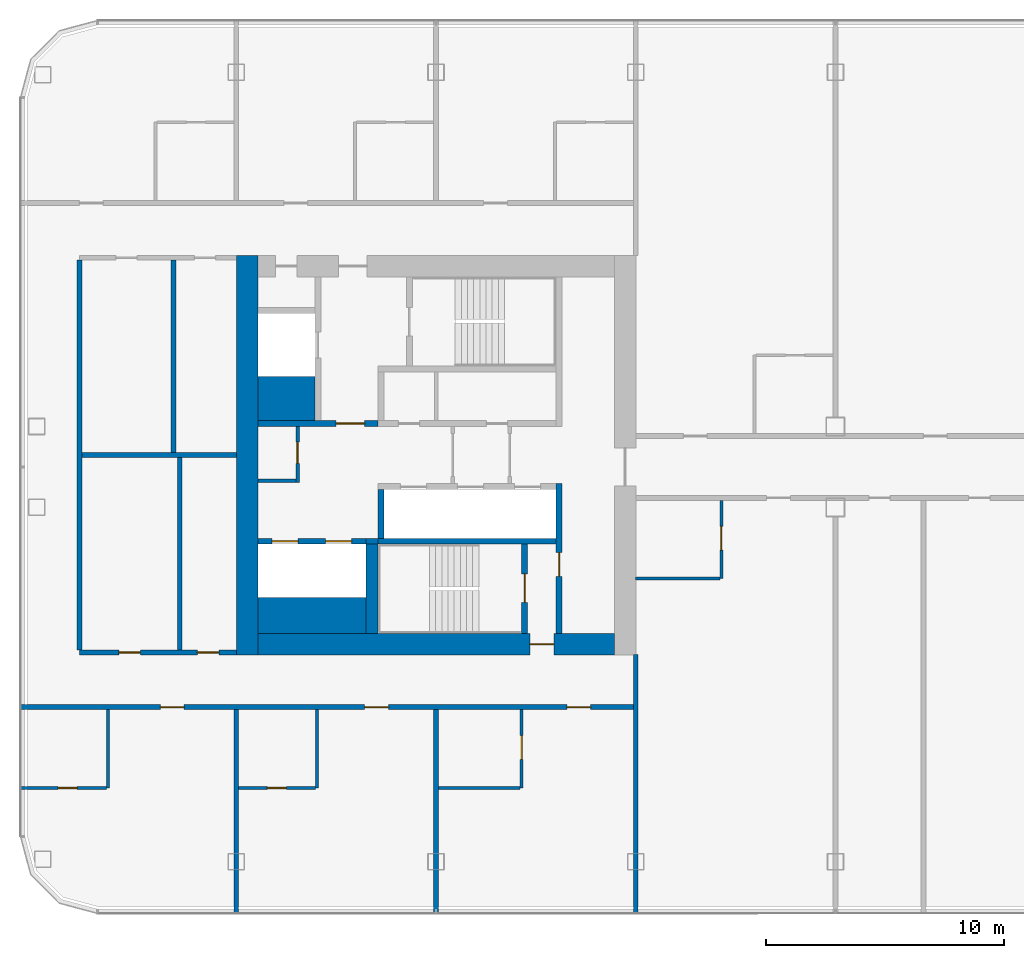
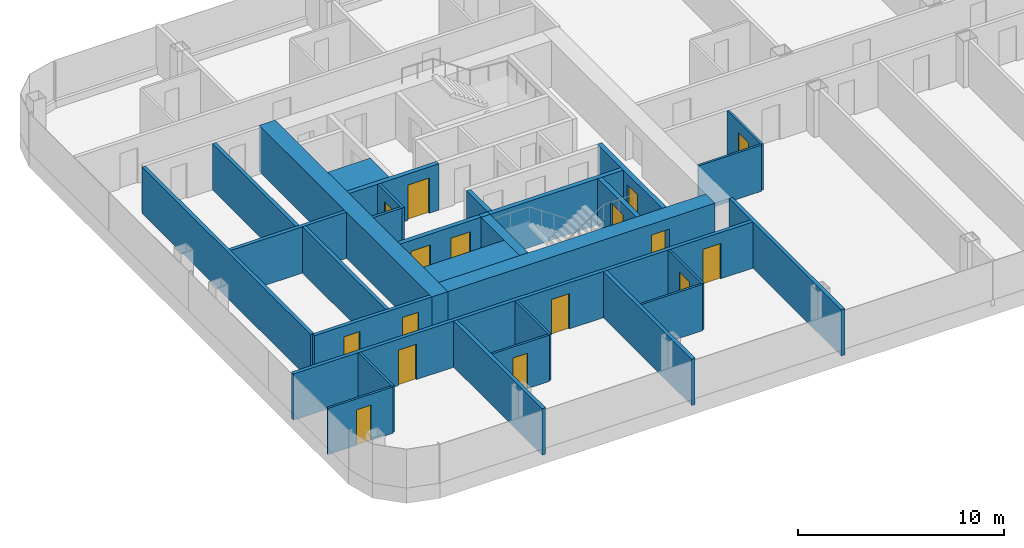
# One storey, part 12 of 25: 31 walls, 16 doors, 16 openings.
"""IFC4 building model written with IfcOpenShell, lengths in metres."""

from ifc_helpers import new_model, si_unit, direction, frame, frame_2d, origin, place, context, subcontext, project, spatial, rectangle, extrude, material, layer, layer_set, type_object, element, fill, save


model = new_model("IFC4")

# Units and contexts
model_context = context("Model", 3, precision=1e-05, world=origin(), true_north=direction((0.0, 1.0)))
body_context = subcontext(model_context, "Body", "Model", "MODEL_VIEW")
ifc_project = project(units=[si_unit("LENGTHUNIT", "METRE"), si_unit("AREAUNIT", "SQUARE_METRE"), si_unit("VOLUMEUNIT", "CUBIC_METRE"), si_unit("PLANEANGLEUNIT", "RADIAN"), si_unit("MASSUNIT", "GRAM", prefix="KILO")], contexts=[model_context])

# Site, building, storey
site_placement = place(None, origin())
site = spatial("IfcSite", under=ifc_project, at=site_placement, CompositionType="ELEMENT")
building_placement = place(site_placement, origin())
building = spatial("IfcBuilding", under=site, at=building_placement, Name="Hakoniwa Tower and Hamabe Station Hall", CompositionType="ELEMENT")
storey_placement = place(building_placement, frame((0.0, 0.0, 147.0)))
storey = spatial("IfcBuildingStorey", under=building, at=storey_placement, Name="L41", CompositionType="ELEMENT", Elevation=147.0)

# Wall, opening, door
ifc_material_1 = material(Name="Gypsum board partition", Category="gypsum")
ifc_layer_1 = layer(ifc_material_1, 0.125)
ifc_layer_set_1 = layer_set([ifc_layer_1], Name="Bathroom Partition 125")
wall_type_1 = type_object("IfcWallType", Name="Bathroom Partition 125", PredefinedType="PARTITIONING", material=ifc_layer_set_1)
wall_1_placement = place(storey_placement, frame((-42.699951171875, -14.0, 0.0), z_axis=(0.0, 0.0, 1.0), x_axis=(1.0, 0.0, 0.0)))
wall_1 = element("IfcWall", 1, at=wall_1_placement, inside=storey, type_object=wall_type_1, Name="GW-L41-001", PredefinedType="PARTITIONING", context=body_context, shape_type="SweptSolid", body=[
    extrude(rectangle(XDim=3.637451171875, YDim=0.125, at=frame_2d((1.81884765625, 0.0))), origin(), (0.0, 0.0, 1.0), 2.75),
])
opening_1_placement = place(wall_1_placement, frame((1.60009765625, 0.0, 0.0)))
opening_1 = element("IfcOpeningElement", 2, at=opening_1_placement, cuts=wall_1, Name="Opening GD-G3A1-01", PredefinedType="OPENING", context=body_context, shape_type="SweptSolid", body=[
    extrude(rectangle(XDim=0.800048828125, YDim=2.10009765625, at=frame_2d((0.39990234375, 1.050048828125))), frame((0.0, 0.072509765625, 0.0), z_axis=(0.0, -1.0, 0.0), x_axis=(1.0, 0.0, 0.0)), (0.0, 0.0, 1.0), 0.14501953125),
])
ifc_material_2 = material(Name="Timber door leaf", Category="wood")
door_type_1 = type_object("IfcDoorType", Name="Bathroom Door 800", OperationType="SINGLE_SWING_LEFT", PredefinedType="DOOR", material=ifc_material_2)
door_1_placement = place(opening_1_placement, origin())
door_1 = element("IfcDoor", 3, at=door_1_placement, inside=storey, type_object=door_type_1, Name="Door GD-G3A1-01", OperationType="SINGLE_SWING_LEFT", OverallHeight=2.10009765625, OverallWidth=0.800048828125, PredefinedType="DOOR", context=body_context, shape_type="SweptSolid", body=[
    extrude(rectangle(XDim=0.800048828125, YDim=2.10009765625, at=frame_2d((0.39990234375, 1.050048828125))), frame((0.0, 0.02490234375, 0.0), z_axis=(0.0, -1.0, 0.0), x_axis=(1.0, 0.0, 0.0)), (0.0, 0.0, 1.0), 0.050048828125),
])
fill(opening_1, door_1)

wall_2_placement = place(storey_placement, frame((-33.5, -14.0, 0.0), z_axis=(0.0, 0.0, 1.0), x_axis=(1.0, 0.0, 0.0)))
wall_2 = element("IfcWall", 4, at=wall_2_placement, inside=storey, type_object=wall_type_1, Name="GW-L41-002", PredefinedType="PARTITIONING", context=body_context, shape_type="SweptSolid", body=[
    extrude(rectangle(XDim=3.237548828125, YDim=0.125, at=frame_2d((1.61865234375, 0.0))), origin(), (0.0, 0.0, 1.0), 2.75),
])
opening_2_placement = place(wall_2_placement, frame((1.199951171875, 0.0, 0.0)))
opening_2 = element("IfcOpeningElement", 5, at=opening_2_placement, cuts=wall_2, Name="Opening GD-G3A1-02", PredefinedType="OPENING", context=body_context, shape_type="SweptSolid", body=[
    extrude(rectangle(XDim=0.800048828125, YDim=2.10009765625, at=frame_2d((0.39990234375, 1.050048828125))), frame((0.0, 0.072509765625, 0.0), z_axis=(0.0, -1.0, 0.0), x_axis=(1.0, 0.0, 0.0)), (0.0, 0.0, 1.0), 0.14501953125),
])
door_2_placement = place(opening_2_placement, origin())
door_2 = element("IfcDoor", 6, at=door_2_placement, inside=storey, type_object=door_type_1, Name="Door GD-G3A1-02", OperationType="SINGLE_SWING_RIGHT", OverallHeight=2.10009765625, OverallWidth=0.800048828125, PredefinedType="DOOR", context=body_context, shape_type="SweptSolid", body=[
    extrude(rectangle(XDim=0.800048828125, YDim=2.10009765625, at=frame_2d((0.39990234375, 1.050048828125))), frame((0.0, 0.02490234375, 0.0), z_axis=(0.0, -1.0, 0.0), x_axis=(1.0, 0.0, 0.0)), (0.0, 0.0, 1.0), 0.050048828125),
])
fill(opening_2, door_2)

# Walls
wall_3_placement = place(storey_placement, frame((-25.10009765625, -14.0, 0.0), z_axis=(0.0, 0.0, 1.0), x_axis=(1.0, 0.0, 0.0)))
element("IfcWall", 7, at=wall_3_placement, inside=storey, type_object=wall_type_1, Name="GW-L41-003", PredefinedType="PARTITIONING", context=body_context, shape_type="SweptSolid", body=[
    extrude(rectangle(XDim=3.4375, YDim=0.125, at=frame_2d((1.71875, 0.0))), origin(), (0.0, 0.0, 1.0), 2.75),
])
wall_4_placement = place(storey_placement, frame((-16.81005859375, -5.199951171875, 0.0), z_axis=(0.0, 0.0, 1.0), x_axis=(1.0, 0.0, 0.0)))
element("IfcWall", 8, at=wall_4_placement, inside=storey, type_object=wall_type_1, Name="GW-L41-010", PredefinedType="PARTITIONING", context=body_context, shape_type="SweptSolid", body=[
    extrude(rectangle(XDim=3.547607421875, YDim=0.125, at=frame_2d((1.77392578125, 0.0))), origin(), (0.0, 0.0, 1.0), 2.75),
])
for number, where, z_axis, x_axis, name in (
    (9, (-39.0, -14.0, 0.0), (0.0, 0.0, 1.0), (0.0, 1.0, 0.0), "GW-L41-030"),
    (10, (-30.199951171875, -14.0, 0.0), (0.0, 0.0, 1.0), (0.0, 1.0, 0.0), "GW-L41-036"),
):
    element("IfcWall", number, at=place(storey_placement, frame(where, z_axis=z_axis, x_axis=x_axis)), inside=storey, type_object=wall_type_1, Name=name, PredefinedType="PARTITIONING", context=body_context, shape_type="SweptSolid", body=[
        extrude(rectangle(XDim=3.300048828125, YDim=0.125, at=frame_2d((1.64990234375, 0.0))), origin(), (0.0, 0.0, 1.0), 2.75),
    ])

# Wall, opening, door
wall_5_placement = place(storey_placement, frame((-21.60009765625, -14.0, 0.0), z_axis=(0.0, 0.0, 1.0), x_axis=(0.0, 1.0, 0.0)))
wall_5 = element("IfcWall", 11, at=wall_5_placement, inside=storey, type_object=wall_type_1, Name="GW-L41-040", PredefinedType="PARTITIONING", context=body_context, shape_type="SweptSolid", body=[
    extrude(rectangle(XDim=3.300048828125, YDim=0.125, at=frame_2d((1.64990234375, 0.0))), origin(), (0.0, 0.0, 1.0), 2.75),
])
opening_3_placement = place(wall_5_placement, frame((1.199951171875, 0.0, 0.0)))
opening_3 = element("IfcOpeningElement", 12, at=opening_3_placement, cuts=wall_5, Name="Opening GD-G3A1-46", PredefinedType="OPENING", context=body_context, shape_type="SweptSolid", body=[
    extrude(rectangle(XDim=1.0, YDim=2.10009765625, at=frame_2d((0.5, 1.050048828125))), frame((0.0, 0.072509765625, 0.0), z_axis=(0.0, -1.0, 0.0), x_axis=(1.0, 0.0, 0.0)), (0.0, 0.0, 1.0), 0.14501953125),
])
ifc_material_3 = material(Name="Timber door leaf", Category="wood")
door_type_2 = type_object("IfcDoorType", Name="Accessible Bathroom Door 1000", OperationType="SINGLE_SWING_LEFT", PredefinedType="DOOR", material=ifc_material_3)
door_3_placement = place(opening_3_placement, origin())
door_3 = element("IfcDoor", 13, at=door_3_placement, inside=storey, type_object=door_type_2, Name="Door GD-G3A1-46", OperationType="SINGLE_SWING_RIGHT", OverallHeight=2.10009765625, OverallWidth=1.0, PredefinedType="DOOR", context=body_context, shape_type="SweptSolid", body=[
    extrude(rectangle(XDim=1.0, YDim=2.10009765625, at=frame_2d((0.5, 1.050048828125))), frame((0.0, 0.02490234375, 0.0), z_axis=(0.0, -1.0, 0.0), x_axis=(1.0, 0.0, 0.0)), (0.0, 0.0, 1.0), 0.050048828125),
])
fill(opening_3, door_3)

wall_6_placement = place(storey_placement, frame((-13.199951171875, -5.199951171875, 0.0), z_axis=(0.0, 0.0, 1.0), x_axis=(0.0, 1.0, 0.0)))
wall_6 = element("IfcWall", 14, at=wall_6_placement, inside=storey, type_object=wall_type_1, Name="GW-L41-044", PredefinedType="PARTITIONING", context=body_context, shape_type="SweptSolid", body=[
    extrude(rectangle(XDim=3.300048828125, YDim=0.125, at=frame_2d((1.64990234375, 0.0))), origin(), (0.0, 0.0, 1.0), 2.75),
])
opening_4_placement = place(wall_6_placement, frame((1.199951171875, 0.0, 0.0)))
opening_4 = element("IfcOpeningElement", 15, at=opening_4_placement, cuts=wall_6, Name="Opening GD-G3A1-47", PredefinedType="OPENING", context=body_context, shape_type="SweptSolid", body=[
    extrude(rectangle(XDim=1.0, YDim=2.10009765625, at=frame_2d((0.5, 1.050048828125))), frame((0.0, 0.072509765625, 0.0), z_axis=(0.0, -1.0, 0.0), x_axis=(1.0, 0.0, 0.0)), (0.0, 0.0, 1.0), 0.14501953125),
])
door_4_placement = place(opening_4_placement, origin())
door_4 = element("IfcDoor", 16, at=door_4_placement, inside=storey, type_object=door_type_2, Name="Door GD-G3A1-47", OperationType="SINGLE_SWING_LEFT", OverallHeight=2.10009765625, OverallWidth=1.0, PredefinedType="DOOR", context=body_context, shape_type="SweptSolid", body=[
    extrude(rectangle(XDim=1.0, YDim=2.10009765625, at=frame_2d((0.5, 1.050048828125))), frame((0.0, 0.02490234375, 0.0), z_axis=(0.0, -1.0, 0.0), x_axis=(1.0, 0.0, 0.0)), (0.0, 0.0, 1.0), 0.050048828125),
])
fill(opening_4, door_4)

ifc_material_4 = material(Name="Gypsum board partition")
ifc_layer_2 = layer(ifc_material_4, 0.14990234375)
ifc_layer_set_2 = layer_set([ifc_layer_2], Name="CORE PARTITION 150 EI 60")
wall_type_2 = type_object("IfcWallType", Name="CORE PARTITION 150 EI 60", PredefinedType="PARTITIONING", material=ifc_layer_set_2)
wall_7_placement = place(storey_placement, frame((-31.02490234375, -1.14990234375, 0.0), z_axis=(0.0, 0.0, 1.0), x_axis=(0.0, 1.0, 0.0)))
wall_7 = element("IfcWall", 17, at=wall_7_placement, inside=storey, type_object=wall_type_2, Name="Core partition PW0 west", PredefinedType="PARTITIONING", context=body_context, shape_type="SweptSolid", body=[
    extrude(rectangle(XDim=2.349853515625, YDim=0.14990234375, at=frame_2d((1.1748046875, 0.0))), origin(), (0.0, 0.0, 1.0), 2.75),
])
opening_5_placement = place(wall_7_placement, frame((0.800048828125, 0.0, 0.0)))
opening_5 = element("IfcOpeningElement", 18, at=opening_5_placement, cuts=wall_7, Name="Opening CD-W-RM1-9", PredefinedType="OPENING", context=body_context, shape_type="SweptSolid", body=[
    extrude(rectangle(XDim=0.89990234375, YDim=2.10009765625, at=frame_2d((0.449951171875, 1.050048828125))), frame((0.0, 0.0849609375, 0.0), z_axis=(0.0, -1.0, 0.0), x_axis=(1.0, 0.0, 0.0)), (0.0, 0.0, 1.0), 0.169921875),
])
ifc_material_5 = material(Name="Steel fire door", Category="steel")
door_type_3 = type_object("IfcDoorType", Name="CORE DOOR 900 FD30", OperationType="NOTDEFINED", PredefinedType="DOOR", material=ifc_material_5)
door_5_placement = place(opening_5_placement, origin())
door_5 = element("IfcDoor", 19, at=door_5_placement, inside=storey, type_object=door_type_3, Name="Store room door", OperationType="SINGLE_SWING_RIGHT", OverallHeight=2.10009765625, OverallWidth=0.89990234375, PredefinedType="DOOR", context=body_context, shape_type="SweptSolid", body=[
    extrude(rectangle(XDim=0.89990234375, YDim=2.10009765625, at=frame_2d((0.449951171875, 1.050048828125))), frame((0.0, 0.02490234375, 0.0), z_axis=(0.0, -1.0, 0.0), x_axis=(1.0, 0.0, 0.0)), (0.0, 0.0, 1.0), 0.050048828125),
])
fill(opening_5, door_5)

# Walls
wall_8_placement = place(storey_placement, frame((-32.699951171875, -1.074951171875, 0.0), z_axis=(0.0, 0.0, 1.0), x_axis=(1.0, 0.0, 0.0)))
element("IfcWall", 20, at=wall_8_placement, inside=storey, type_object=wall_type_2, Name="Core partition PS west", PredefinedType="PARTITIONING", context=body_context, shape_type="SweptSolid", body=[
    extrude(rectangle(XDim=1.599853515625, YDim=0.14990234375, at=frame_2d((0.7998046875, 0.0))), origin(), (0.0, 0.0, 1.0), 2.75),
])
ifc_material_6 = material(Name="Concrete C66", Category="concrete")
ifc_layer_3 = layer(ifc_material_6, 0.89990234375)
ifc_layer_set_3 = layer_set([ifc_layer_3], Name="CORE WALL 900 C66")
wall_type_3 = type_object("IfcWallType", Name="CORE WALL 900 C66", PredefinedType="SHEAR", material=ifc_layer_set_3)
wall_9_placement = place(storey_placement, frame((-33.14990234375, -8.39990234375, 0.0), z_axis=(0.0, 0.0, 1.0), x_axis=(0.0, 1.0, 0.0)))
element("IfcWall", 21, at=wall_9_placement, inside=storey, type_object=wall_type_3, Name="Core wall OUTER west", PredefinedType="SHEAR", context=body_context, shape_type="SweptSolid", body=[
    extrude(rectangle(XDim=16.7998046875, YDim=0.89990234375, at=frame_2d((8.39990234375, 0.0))), origin(), (0.0, 0.0, 1.0), 2.75),
])

# Wall, opening, door
wall_10_placement = place(storey_placement, frame((-32.699951171875, -7.949951171875, 0.0), z_axis=(0.0, 0.0, 1.0), x_axis=(1.0, 0.0, 0.0)))
wall_10 = element("IfcWall", 22, at=wall_10_placement, inside=storey, type_object=wall_type_3, Name="Core wall SOUTH west", PredefinedType="SHEAR", context=body_context, shape_type="SweptSolid", body=[
    extrude(rectangle(XDim=15.0, YDim=0.89990234375, at=frame_2d((7.5, 0.0))), origin(), (0.0, 0.0, 1.0), 2.75),
])
opening_6_placement = place(wall_10_placement, frame((11.449951171875, 0.0, 0.0)))
opening_6 = element("IfcOpeningElement", 23, at=opening_6_placement, cuts=wall_10, Name="Opening CD-W-FS3-10", PredefinedType="OPENING", context=body_context, shape_type="SweptSolid", body=[
    extrude(rectangle(XDim=1.0, YDim=2.10009765625, at=frame_2d((0.5, 1.050048828125))), frame((0.0, 0.4599609375, 0.0), z_axis=(0.0, -1.0, 0.0), x_axis=(1.0, 0.0, 0.0)), (0.0, 0.0, 1.0), 0.919921875),
])
ifc_material_7 = material(Name="Steel fire door", Category="steel")
door_type_4 = type_object("IfcDoorType", Name="CORE DOOR 1000 FD60", OperationType="NOTDEFINED", PredefinedType="DOOR", material=ifc_material_7)
door_6_placement = place(opening_6_placement, origin())
door_6 = element("IfcDoor", 24, at=door_6_placement, inside=storey, type_object=door_type_4, Name="Stair vestibule door", OperationType="SINGLE_SWING_RIGHT", OverallHeight=2.10009765625, OverallWidth=1.0, PredefinedType="DOOR", context=body_context, shape_type="SweptSolid", body=[
    extrude(rectangle(XDim=1.0, YDim=2.10009765625, at=frame_2d((0.5, 1.050048828125))), frame((0.0, 0.02490234375, 0.0), z_axis=(0.0, -1.0, 0.0), x_axis=(1.0, 0.0, 0.0)), (0.0, 0.0, 1.0), 0.050048828125),
])
fill(opening_6, door_6)

# Walls
ifc_material_8 = material(Name="Concrete C66", Category="concrete")
ifc_layer_4 = layer(ifc_material_8, 1.5)
ifc_layer_set_4 = layer_set([ifc_layer_4], Name="CORE WEB WALL 1500 C66")
wall_type_4 = type_object("IfcWallType", Name="CORE WEB WALL 1500 C66", PredefinedType="SHEAR", material=ifc_layer_set_4)
wall_11_placement = place(storey_placement, frame((-32.699951171875, -6.75, 0.0), z_axis=(0.0, 0.0, 1.0), x_axis=(1.0, 0.0, 0.0)))
element("IfcWall", 25, at=wall_11_placement, inside=storey, type_object=wall_type_4, Name="Core wall SER west", PredefinedType="SHEAR", context=body_context, shape_type="SweptSolid", body=[
    extrude(rectangle(XDim=4.550048828125, YDim=1.5, at=frame_2d((2.27490234375, 0.0))), origin(), (0.0, 0.0, 1.0), 2.75),
])
ifc_material_9 = material(Name="Concrete C66", Category="concrete")
ifc_layer_5 = layer(ifc_material_9, 1.85009765625)
ifc_layer_set_5 = layer_set([ifc_layer_5], Name="CORE WEB WALL 1850 C66")
wall_type_5 = type_object("IfcWallType", Name="CORE WEB WALL 1850 C66", PredefinedType="SHEAR", material=ifc_layer_set_5)
wall_12_placement = place(storey_placement, frame((-32.699951171875, 2.375, 0.0), z_axis=(0.0, 0.0, 1.0), x_axis=(1.0, 0.0, 0.0)))
element("IfcWall", 26, at=wall_12_placement, inside=storey, type_object=wall_type_5, Name="Core wall CA west", PredefinedType="SHEAR", context=body_context, shape_type="SweptSolid", body=[
    extrude(rectangle(XDim=2.39990234375, YDim=1.85009765625, at=frame_2d((1.199951171875, 0.0))), origin(), (0.0, 0.0, 1.0), 2.75),
])

# Wall, opening, door
ifc_material_10 = material(Name="Concrete C66", Category="concrete")
ifc_layer_6 = layer(ifc_material_10, 0.25)
ifc_layer_set_6 = layer_set([ifc_layer_6], Name="CORE WEB WALL 250 C66")
wall_type_6 = type_object("IfcWallType", Name="CORE WEB WALL 250 C66", PredefinedType="SHEAR", material=ifc_layer_set_6)
wall_13_placement = place(storey_placement, frame((-20.02490234375, -7.5, 0.0), z_axis=(0.0, 0.0, 1.0), x_axis=(0.0, 1.0, 0.0)))
wall_13 = element("IfcWall", 27, at=wall_13_placement, inside=storey, type_object=wall_type_6, Name="Core wall W1S west", PredefinedType="SHEAR", context=body_context, shape_type="SweptSolid", body=[
    extrude(rectangle(XDim=6.300048828125, YDim=0.25, at=frame_2d((3.14990234375, 0.0))), origin(), (0.0, 0.0, 1.0), 2.75),
])
opening_7_placement = place(wall_13_placement, frame((2.39990234375, 0.0, 0.0)))
opening_7 = element("IfcOpeningElement", 28, at=opening_7_placement, cuts=wall_13, Name="Opening CD-W-VS-10", PredefinedType="OPENING", context=body_context, shape_type="SweptSolid", body=[
    extrude(rectangle(XDim=1.0, YDim=2.10009765625, at=frame_2d((0.5, 1.050048828125))), frame((0.0, 0.135009765625, 0.0), z_axis=(0.0, -1.0, 0.0), x_axis=(1.0, 0.0, 0.0)), (0.0, 0.0, 1.0), 0.27001953125),
])
door_7_placement = place(opening_7_placement, origin())
door_7 = element("IfcDoor", 29, at=door_7_placement, inside=storey, type_object=door_type_4, Name="Stair vestibule door", OperationType="SINGLE_SWING_LEFT", OverallHeight=2.10009765625, OverallWidth=1.0, PredefinedType="DOOR", context=body_context, shape_type="SweptSolid", body=[
    extrude(rectangle(XDim=1.0, YDim=2.10009765625, at=frame_2d((0.5, 1.050048828125))), frame((0.0, 0.02490234375, 0.0), z_axis=(0.0, -1.0, 0.0), x_axis=(1.0, 0.0, 0.0)), (0.0, 0.0, 1.0), 0.050048828125),
])
fill(opening_7, door_7)

wall_14_placement = place(storey_placement, frame((-32.699951171875, 1.324951171875, 0.0), z_axis=(0.0, 0.0, 1.0), x_axis=(1.0, 0.0, 0.0)))
wall_14 = element("IfcWall", 30, at=wall_14_placement, inside=storey, type_object=wall_type_6, Name="Core wall ELN west", PredefinedType="SHEAR", context=body_context, shape_type="SweptSolid", body=[
    extrude(rectangle(XDim=5.050048828125, YDim=0.25, at=frame_2d((2.52490234375, 0.0))), origin(), (0.0, 0.0, 1.0), 2.75),
])
opening_8_placement = place(wall_14_placement, frame((3.300048828125, 0.0, 0.0)))
opening_8 = element("IfcOpeningElement", 31, at=opening_8_placement, cuts=wall_14, Name="Opening CD-W-FL-12", PredefinedType="OPENING", context=body_context, shape_type="SweptSolid", body=[
    extrude(rectangle(XDim=1.199951171875, YDim=2.10009765625, at=frame_2d((0.60009765625, 1.050048828125))), frame((0.0, 0.135009765625, 0.0), z_axis=(0.0, -1.0, 0.0), x_axis=(1.0, 0.0, 0.0)), (0.0, 0.0, 1.0), 0.27001953125),
])
ifc_material_11 = material(Name="Steel fire door", Category="steel")
door_type_5 = type_object("IfcDoorType", Name="CORE DOOR 1200 FD60", OperationType="DOUBLE_DOOR_SINGLE_SWING", PredefinedType="DOOR", material=ifc_material_11)
door_8_placement = place(opening_8_placement, origin())
door_8 = element("IfcDoor", 32, at=door_8_placement, inside=storey, type_object=door_type_5, Name="Stair vestibule door to the fire-fighting lobby", OperationType="DOUBLE_DOOR_SINGLE_SWING", OverallHeight=2.10009765625, OverallWidth=1.199951171875, PredefinedType="DOOR", context=body_context, shape_type="SweptSolid", body=[
    extrude(rectangle(XDim=1.199951171875, YDim=2.10009765625, at=frame_2d((0.60009765625, 1.050048828125))), frame((0.0, 0.02490234375, 0.0), z_axis=(0.0, -1.0, 0.0), x_axis=(1.0, 0.0, 0.0)), (0.0, 0.0, 1.0), 0.050048828125),
])
fill(opening_8, door_8)

# Walls
wall_15_placement = place(storey_placement, frame((-27.52490234375, -3.5, 0.0), z_axis=(0.0, 0.0, 1.0), x_axis=(0.0, 1.0, 0.0)))
element("IfcWall", 33, at=wall_15_placement, inside=storey, type_object=wall_type_6, Name="Core wall SE west", PredefinedType="SHEAR", context=body_context, shape_type="SweptSolid", body=[
    extrude(rectangle(XDim=2.050048828125, YDim=0.25, at=frame_2d((1.02490234375, 0.0))), origin(), (0.0, 0.0, 1.0), 2.75),
])
wall_16_placement = place(storey_placement, frame((-27.64990234375, -3.625, 0.0), z_axis=(0.0, 0.0, 1.0), x_axis=(1.0, 0.0, 0.0)))
element("IfcWall", 34, at=wall_16_placement, inside=storey, type_object=wall_type_6, Name="Core wall SR west", PredefinedType="SHEAR", context=body_context, shape_type="SweptSolid", body=[
    extrude(rectangle(XDim=7.5, YDim=0.25, at=frame_2d((3.75, 0.0))), origin(), (0.0, 0.0, 1.0), 2.75),
])

# Wall, opening, door
wall_17_placement = place(storey_placement, frame((-21.47509765625, -7.5, 0.0), z_axis=(0.0, 0.0, 1.0), x_axis=(0.0, 1.0, 0.0)))
wall_17 = element("IfcWall", 35, at=wall_17_placement, inside=storey, type_object=wall_type_6, Name="Core wall VE west", PredefinedType="SHEAR", context=body_context, shape_type="SweptSolid", body=[
    extrude(rectangle(XDim=3.75, YDim=0.25, at=frame_2d((1.875, 0.0))), origin(), (0.0, 0.0, 1.0), 2.75),
])
opening_9_placement = place(wall_17_placement, frame((1.300048828125, 0.0, 0.0)))
opening_9 = element("IfcOpeningElement", 36, at=opening_9_placement, cuts=wall_17, Name="Opening CD-W-SS-12", PredefinedType="OPENING", context=body_context, shape_type="SweptSolid", body=[
    extrude(rectangle(XDim=1.199951171875, YDim=2.10009765625, at=frame_2d((0.60009765625, 1.050048828125))), frame((0.0, 0.135009765625, 0.0), z_axis=(0.0, -1.0, 0.0), x_axis=(1.0, 0.0, 0.0)), (0.0, 0.0, 1.0), 0.27001953125),
])
door_9_placement = place(opening_9_placement, origin())
door_9 = element("IfcDoor", 37, at=door_9_placement, inside=storey, type_object=door_type_5, Name="Escape stair door", OperationType="DOUBLE_DOOR_SINGLE_SWING", OverallHeight=2.10009765625, OverallWidth=1.199951171875, PredefinedType="DOOR", context=body_context, shape_type="SweptSolid", body=[
    extrude(rectangle(XDim=1.199951171875, YDim=2.10009765625, at=frame_2d((0.60009765625, 1.050048828125))), frame((0.0, 0.02490234375, 0.0), z_axis=(0.0, -1.0, 0.0), x_axis=(1.0, 0.0, 0.0)), (0.0, 0.0, 1.0), 0.050048828125),
])
fill(opening_9, door_9)

# Wall, openings, doors
wall_18_placement = place(storey_placement, frame((-32.699951171875, -3.625, 0.0), z_axis=(0.0, 0.0, 1.0), x_axis=(1.0, 0.0, 0.0)))
wall_18 = element("IfcWall", 38, at=wall_18_placement, inside=storey, type_object=wall_type_6, Name="Core wall SEF west", PredefinedType="SHEAR", context=body_context, shape_type="SweptSolid", body=[
    extrude(rectangle(XDim=4.550048828125, YDim=0.25, at=frame_2d((2.27490234375, 0.0))), origin(), (0.0, 0.0, 1.0), 2.75),
])
opening_10_placement = place(wall_18_placement, frame((2.85009765625, 0.0, 0.0)))
opening_10 = element("IfcOpeningElement", 39, at=opening_10_placement, cuts=wall_18, Name="Opening LD-SV1", PredefinedType="OPENING", context=body_context, shape_type="SweptSolid", body=[
    extrude(rectangle(XDim=1.10009765625, YDim=2.10009765625, at=frame_2d((0.550048828125, 1.050048828125))), frame((0.0, 0.135009765625, 0.0), z_axis=(0.0, -1.0, 0.0), x_axis=(1.0, 0.0, 0.0)), (0.0, 0.0, 1.0), 0.27001953125),
])
opening_11_placement = place(wall_18_placement, frame((0.60009765625, 0.0, 0.0)))
opening_11 = element("IfcOpeningElement", 40, at=opening_11_placement, cuts=wall_18, Name="Opening LD-SV2", PredefinedType="OPENING", context=body_context, shape_type="SweptSolid", body=[
    extrude(rectangle(XDim=1.10009765625, YDim=2.10009765625, at=frame_2d((0.550048828125, 1.050048828125))), frame((0.0, 0.135009765625, 0.0), z_axis=(0.0, -1.0, 0.0), x_axis=(1.0, 0.0, 0.0)), (0.0, 0.0, 1.0), 0.27001953125),
])
ifc_material_12 = material(Name="Stainless steel SUS304", Category="steel")
door_type_6 = type_object("IfcDoorType", Name="LIFT LANDING DOOR 1100 FD60", OperationType="DOUBLE_DOOR_SLIDING", PredefinedType="DOOR", material=ifc_material_12)
door_10_placement = place(opening_10_placement, origin())
door_10 = element("IfcDoor", 41, at=door_10_placement, inside=storey, type_object=door_type_6, Name="Lift landing door SV1 L41", OperationType="DOUBLE_DOOR_SLIDING", OverallHeight=2.10009765625, OverallWidth=1.10009765625, PredefinedType="DOOR", context=body_context, shape_type="SweptSolid", body=[
    extrude(rectangle(XDim=1.10009765625, YDim=2.10009765625, at=frame_2d((0.550048828125, 1.050048828125))), frame((0.0, 0.02490234375, 0.0), z_axis=(0.0, -1.0, 0.0), x_axis=(1.0, 0.0, 0.0)), (0.0, 0.0, 1.0), 0.050048828125),
])
fill(opening_10, door_10)
door_11_placement = place(opening_11_placement, origin())
door_11 = element("IfcDoor", 42, at=door_11_placement, inside=storey, type_object=door_type_6, Name="Lift landing door SV2 L41", OperationType="DOUBLE_DOOR_SLIDING", OverallHeight=2.10009765625, OverallWidth=1.10009765625, PredefinedType="DOOR", context=body_context, shape_type="SweptSolid", body=[
    extrude(rectangle(XDim=1.10009765625, YDim=2.10009765625, at=frame_2d((0.550048828125, 1.050048828125))), frame((0.0, 0.02490234375, 0.0), z_axis=(0.0, -1.0, 0.0), x_axis=(1.0, 0.0, 0.0)), (0.0, 0.0, 1.0), 0.050048828125),
])
fill(opening_11, door_11)

# Walls
wall_19_placement = place(storey_placement, frame((-28.14990234375, -3.625, 0.0), z_axis=(0.0, 0.0, 1.0), x_axis=(1.0, 0.0, 0.0)))
element("IfcWall", 43, at=wall_19_placement, inside=storey, type_object=wall_type_6, Name="Core wall SRK west", PredefinedType="SHEAR", context=body_context, shape_type="SweptSolid", body=[
    extrude(rectangle(XDim=0.5, YDim=0.25, at=frame_2d((0.25, 0.0))), origin(), (0.0, 0.0, 1.0), 2.75),
])
ifc_material_13 = material(Name="Concrete C66", Category="concrete")
ifc_layer_7 = layer(ifc_material_13, 0.5)
ifc_layer_set_7 = layer_set([ifc_layer_7], Name="CORE WEB WALL 500 C66")
wall_type_7 = type_object("IfcWallType", Name="CORE WEB WALL 500 C66", PredefinedType="SHEAR", material=ifc_layer_set_7)
wall_20_placement = place(storey_placement, frame((-27.89990234375, -7.5, 0.0), z_axis=(0.0, 0.0, 1.0), x_axis=(0.0, 1.0, 0.0)))
element("IfcWall", 44, at=wall_20_placement, inside=storey, type_object=wall_type_7, Name="Core wall SSE west", PredefinedType="SHEAR", context=body_context, shape_type="SweptSolid", body=[
    extrude(rectangle(XDim=3.75, YDim=0.5, at=frame_2d((1.875, 0.0))), origin(), (0.0, 0.0, 1.0), 2.75),
])

# Wall, openings, doors
ifc_material_14 = material(Name="Fire-rated gypsum board partition", Category="gypsum")
ifc_layer_8 = layer(ifc_material_14, 0.199951171875)
ifc_layer_set_8 = layer_set([ifc_layer_8], Name="Corridor Wall 200")
wall_type_8 = type_object("IfcWallType", Name="Corridor Wall 200", PredefinedType="PARTITIONING", material=ifc_layer_set_8)
wall_21_placement = place(storey_placement, frame((-42.699951171875, -10.60009765625, 0.0), z_axis=(0.0, 0.0, 1.0), x_axis=(1.0, 0.0, 0.0)))
wall_21 = element("IfcWall", 45, at=wall_21_placement, inside=storey, type_object=wall_type_8, Name="GW-L41-006", PredefinedType="PARTITIONING", context=body_context, shape_type="SweptSolid", body=[
    extrude(rectangle(XDim=25.89990234375, YDim=0.199951171875, at=frame_2d((12.949951171875, 0.0))), origin(), (0.0, 0.0, 1.0), 2.75),
])
opening_12_placement = place(wall_21_placement, frame((5.89990234375, 0.0, 0.0)))
opening_12 = element("IfcOpeningElement", 46, at=opening_12_placement, cuts=wall_21, Name="Opening GD-G3A1-06", PredefinedType="OPENING", context=body_context, shape_type="SweptSolid", body=[
    extrude(rectangle(XDim=1.0, YDim=2.10009765625, at=frame_2d((0.5, 1.050048828125))), frame((0.0, 0.10986328125, 0.0), z_axis=(0.0, -1.0, 0.0), x_axis=(1.0, 0.0, 0.0)), (0.0, 0.0, 1.0), 0.219970703125),
])
opening_13_placement = place(wall_21_placement, frame((14.5, 0.0, 0.0)))
opening_13 = element("IfcOpeningElement", 47, at=opening_13_placement, cuts=wall_21, Name="Opening GD-G3A1-07", PredefinedType="OPENING", context=body_context, shape_type="SweptSolid", body=[
    extrude(rectangle(XDim=1.0, YDim=2.10009765625, at=frame_2d((0.5, 1.050048828125))), frame((0.0, 0.10986328125, 0.0), z_axis=(0.0, -1.0, 0.0), x_axis=(1.0, 0.0, 0.0)), (0.0, 0.0, 1.0), 0.219970703125),
])
opening_14_placement = place(wall_21_placement, frame((23.0, 0.0, 0.0)))
opening_14 = element("IfcOpeningElement", 48, at=opening_14_placement, cuts=wall_21, Name="Opening GD-G3A1-08", PredefinedType="OPENING", context=body_context, shape_type="SweptSolid", body=[
    extrude(rectangle(XDim=1.0, YDim=2.10009765625, at=frame_2d((0.5, 1.050048828125))), frame((0.0, 0.10986328125, 0.0), z_axis=(0.0, -1.0, 0.0), x_axis=(1.0, 0.0, 0.0)), (0.0, 0.0, 1.0), 0.219970703125),
])
ifc_material_15 = material(Name="Timber door leaf", Category="wood")
door_type_7 = type_object("IfcDoorType", Name="Accessible Guest Entrance Door 1000", OperationType="SINGLE_SWING_LEFT", PredefinedType="DOOR", material=ifc_material_15)
door_12_placement = place(opening_14_placement, origin())
door_12 = element("IfcDoor", 49, at=door_12_placement, inside=storey, type_object=door_type_7, Name="Door GD-G3A1-08", OperationType="SINGLE_SWING_LEFT", OverallHeight=2.10009765625, OverallWidth=1.0, PredefinedType="DOOR", context=body_context, shape_type="SweptSolid", body=[
    extrude(rectangle(XDim=1.0, YDim=2.10009765625, at=frame_2d((0.5, 1.050048828125))), frame((0.0, 0.02490234375, 0.0), z_axis=(0.0, -1.0, 0.0), x_axis=(1.0, 0.0, 0.0)), (0.0, 0.0, 1.0), 0.050048828125),
])
fill(opening_14, door_12)
ifc_material_16 = material(Name="Timber door leaf", Category="wood")
door_type_8 = type_object("IfcDoorType", Name="Guest Entrance Door 1000", OperationType="SINGLE_SWING_LEFT", PredefinedType="DOOR", material=ifc_material_16)
door_13_placement = place(opening_12_placement, origin())
door_13 = element("IfcDoor", 50, at=door_13_placement, inside=storey, type_object=door_type_8, Name="Door GD-G3A1-06", OperationType="SINGLE_SWING_LEFT", OverallHeight=2.10009765625, OverallWidth=1.0, PredefinedType="DOOR", context=body_context, shape_type="SweptSolid", body=[
    extrude(rectangle(XDim=1.0, YDim=2.10009765625, at=frame_2d((0.5, 1.050048828125))), frame((0.0, 0.02490234375, 0.0), z_axis=(0.0, -1.0, 0.0), x_axis=(1.0, 0.0, 0.0)), (0.0, 0.0, 1.0), 0.050048828125),
])
fill(opening_12, door_13)
door_14_placement = place(opening_13_placement, origin())
door_14 = element("IfcDoor", 51, at=door_14_placement, inside=storey, type_object=door_type_8, Name="Door GD-G3A1-07", OperationType="SINGLE_SWING_RIGHT", OverallHeight=2.10009765625, OverallWidth=1.0, PredefinedType="DOOR", context=body_context, shape_type="SweptSolid", body=[
    extrude(rectangle(XDim=1.0, YDim=2.10009765625, at=frame_2d((0.5, 1.050048828125))), frame((0.0, 0.02490234375, 0.0), z_axis=(0.0, -1.0, 0.0), x_axis=(1.0, 0.0, 0.0)), (0.0, 0.0, 1.0), 0.050048828125),
])
fill(opening_13, door_14)

wall_22_placement = place(storey_placement, frame((-40.199951171875, -8.300048828125, 0.0), z_axis=(0.0, 0.0, 1.0), x_axis=(1.0, 0.0, 0.0)))
wall_22 = element("IfcWall", 52, at=wall_22_placement, inside=storey, type_object=wall_type_8, Name="GW-L41-008", PredefinedType="PARTITIONING", context=body_context, shape_type="SweptSolid", body=[
    extrude(rectangle(XDim=6.599853515625, YDim=0.199951171875, at=frame_2d((3.2998046875, 0.0))), origin(), (0.0, 0.0, 1.0), 2.75),
])
opening_15_placement = place(wall_22_placement, frame((1.659912109375, 0.0, 0.0)))
opening_15 = element("IfcOpeningElement", 53, at=opening_15_placement, cuts=wall_22, Name="Opening GD-G3A1-12", PredefinedType="OPENING", context=body_context, shape_type="SweptSolid", body=[
    extrude(rectangle(XDim=0.89990234375, YDim=2.10009765625, at=frame_2d((0.449951171875, 1.050048828125))), frame((0.0, 0.10986328125, 0.0), z_axis=(0.0, -1.0, 0.0), x_axis=(1.0, 0.0, 0.0)), (0.0, 0.0, 1.0), 0.219970703125),
])
opening_16_placement = place(wall_22_placement, frame((4.9599609375, 0.0, 0.0)))
opening_16 = element("IfcOpeningElement", 54, at=opening_16_placement, cuts=wall_22, Name="Opening GD-G3A1-13", PredefinedType="OPENING", context=body_context, shape_type="SweptSolid", body=[
    extrude(rectangle(XDim=0.89990234375, YDim=2.10009765625, at=frame_2d((0.449951171875, 1.050048828125))), frame((0.0, 0.10986328125, 0.0), z_axis=(0.0, -1.0, 0.0), x_axis=(1.0, 0.0, 0.0)), (0.0, 0.0, 1.0), 0.219970703125),
])
ifc_material_17 = material(Name="Timber door leaf", Category="wood")
door_type_9 = type_object("IfcDoorType", Name="Service Door 900", OperationType="SINGLE_SWING_LEFT", PredefinedType="DOOR", material=ifc_material_17)
door_15_placement = place(opening_15_placement, origin())
door_15 = element("IfcDoor", 55, at=door_15_placement, inside=storey, type_object=door_type_9, Name="Door GD-G3A1-12", OperationType="SINGLE_SWING_LEFT", OverallHeight=2.10009765625, OverallWidth=0.89990234375, PredefinedType="DOOR", context=body_context, shape_type="SweptSolid", body=[
    extrude(rectangle(XDim=0.89990234375, YDim=2.10009765625, at=frame_2d((0.449951171875, 1.050048828125))), frame((0.0, 0.02490234375, 0.0), z_axis=(0.0, -1.0, 0.0), x_axis=(1.0, 0.0, 0.0)), (0.0, 0.0, 1.0), 0.050048828125),
])
fill(opening_15, door_15)
door_16_placement = place(opening_16_placement, origin())
door_16 = element("IfcDoor", 56, at=door_16_placement, inside=storey, type_object=door_type_9, Name="Door GD-G3A1-13", OperationType="SINGLE_SWING_RIGHT", OverallHeight=2.10009765625, OverallWidth=0.89990234375, PredefinedType="DOOR", context=body_context, shape_type="SweptSolid", body=[
    extrude(rectangle(XDim=0.89990234375, YDim=2.10009765625, at=frame_2d((0.449951171875, 1.050048828125))), frame((0.0, 0.02490234375, 0.0), z_axis=(0.0, -1.0, 0.0), x_axis=(1.0, 0.0, 0.0)), (0.0, 0.0, 1.0), 0.050048828125),
])
fill(opening_16, door_16)

# Walls
ifc_material_18 = material(Name="Fire-rated gypsum board partition", Category="gypsum")
ifc_layer_9 = layer(ifc_material_18, 0.199951171875)
ifc_layer_set_9 = layer_set([ifc_layer_9], Name="Party Wall 200")
wall_type_9 = type_object("IfcWallType", Name="Party Wall 200", PredefinedType="PARTITIONING", material=ifc_layer_set_9)
wall_23_placement = place(storey_placement, frame((-40.10009765625, 0.0, 0.0), z_axis=(0.0, 0.0, 1.0), x_axis=(1.0, 0.0, 0.0)))
element("IfcWall", 57, at=wall_23_placement, inside=storey, type_object=wall_type_9, Name="GW-L41-014", PredefinedType="PARTITIONING", context=body_context, shape_type="SweptSolid", body=[
    extrude(rectangle(XDim=6.5, YDim=0.199951171875, at=frame_2d((3.25, 0.0))), origin(), (0.0, 0.0, 1.0), 2.75),
])
wall_24_placement = place(storey_placement, frame((-40.199951171875, -8.199951171875, 0.0), z_axis=(0.0, 0.0, 1.0), x_axis=(0.0, 1.0, 0.0)))
element("IfcWall", 58, at=wall_24_placement, inside=storey, type_object=wall_type_9, Name="GW-L41-029", PredefinedType="PARTITIONING", context=body_context, shape_type="SweptSolid", body=[
    extrude(rectangle(XDim=16.39990234375, YDim=0.199951171875, at=frame_2d((8.199951171875, 0.0))), origin(), (0.0, 0.0, 1.0), 2.75),
])
for number, where, z_axis, x_axis, name in (
    (59, (-36.239990234375, 0.0, 0.0), (0.0, 0.0, 1.0), (0.0, 1.0, 0.0), "GW-L41-032"),
    (60, (-35.97998046875, -8.199951171875, 0.0), (0.0, 0.0, 1.0), (0.0, 1.0, 0.0), "GW-L41-033"),
):
    element("IfcWall", number, at=place(storey_placement, frame(where, z_axis=z_axis, x_axis=x_axis)), inside=storey, type_object=wall_type_9, Name=name, PredefinedType="PARTITIONING", context=body_context, shape_type="SweptSolid", body=[
        extrude(rectangle(XDim=8.199951171875, YDim=0.199951171875, at=frame_2d((4.10009765625, 0.0))), origin(), (0.0, 0.0, 1.0), 2.75),
    ])
for number, where, z_axis, x_axis, name in (
    (61, (-33.60009765625, -19.300048828125, 0.0), (0.0, 0.0, 1.0), (0.0, 1.0, 0.0), "GW-L41-034"),
    (62, (-25.199951171875, -19.300048828125, 0.0), (0.0, 0.0, 1.0), (0.0, 1.0, 0.0), "GW-L41-038"),
):
    element("IfcWall", number, at=place(storey_placement, frame(where, z_axis=z_axis, x_axis=x_axis)), inside=storey, type_object=wall_type_9, Name=name, PredefinedType="PARTITIONING", context=body_context, shape_type="SweptSolid", body=[
        extrude(rectangle(XDim=8.60009765625, YDim=0.199951171875, at=frame_2d((4.300048828125, 0.0))), origin(), (0.0, 0.0, 1.0), 2.75),
    ])
wall_25_placement = place(storey_placement, frame((-16.800048828125, -19.300048828125, 0.0), z_axis=(0.0, 0.0, 1.0), x_axis=(0.0, 1.0, 0.0)))
element("IfcWall", 63, at=wall_25_placement, inside=storey, type_object=wall_type_9, Name="GW-L41-042", PredefinedType="PARTITIONING", context=body_context, shape_type="SweptSolid", body=[
    extrude(rectangle(XDim=10.91015625, YDim=0.199951171875, at=frame_2d((5.455078125, 0.0))), origin(), (0.0, 0.0, 1.0), 2.75),
])

save(model, "model.ifc")
